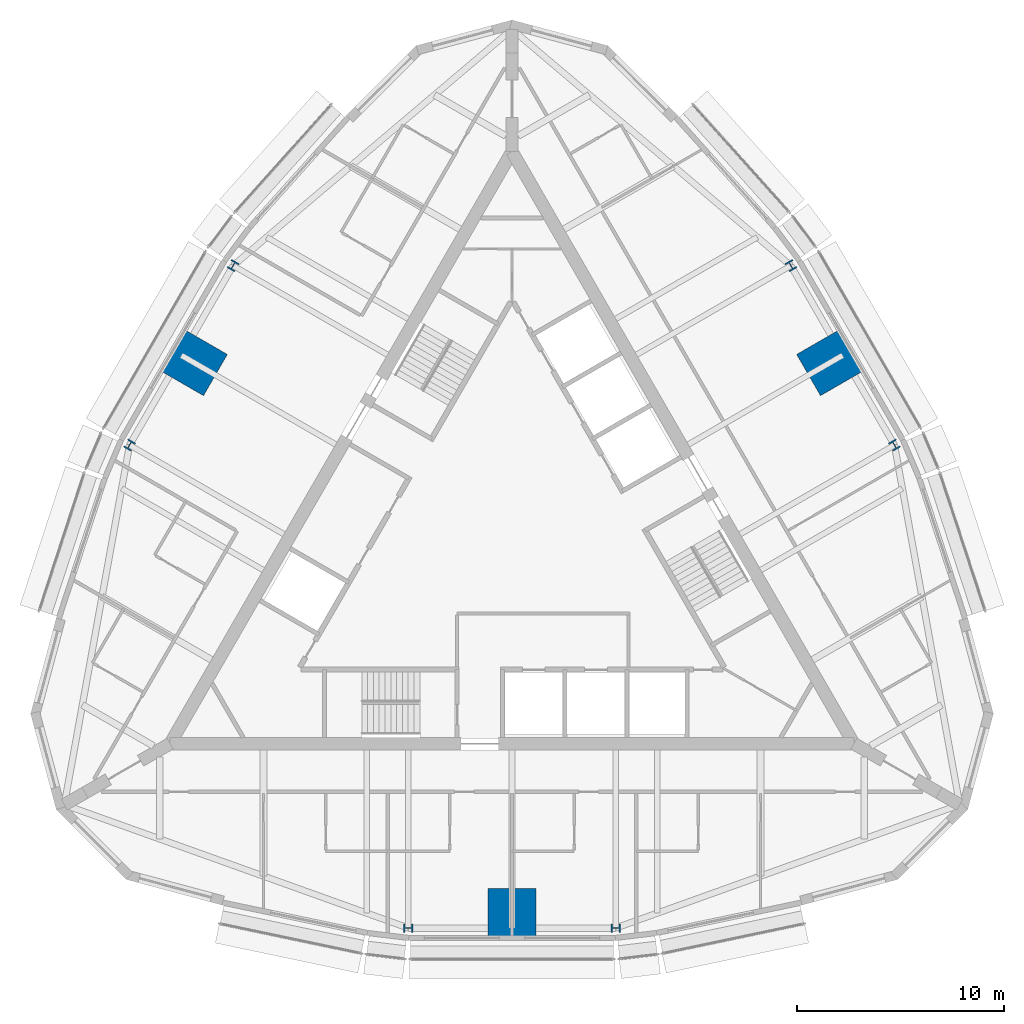
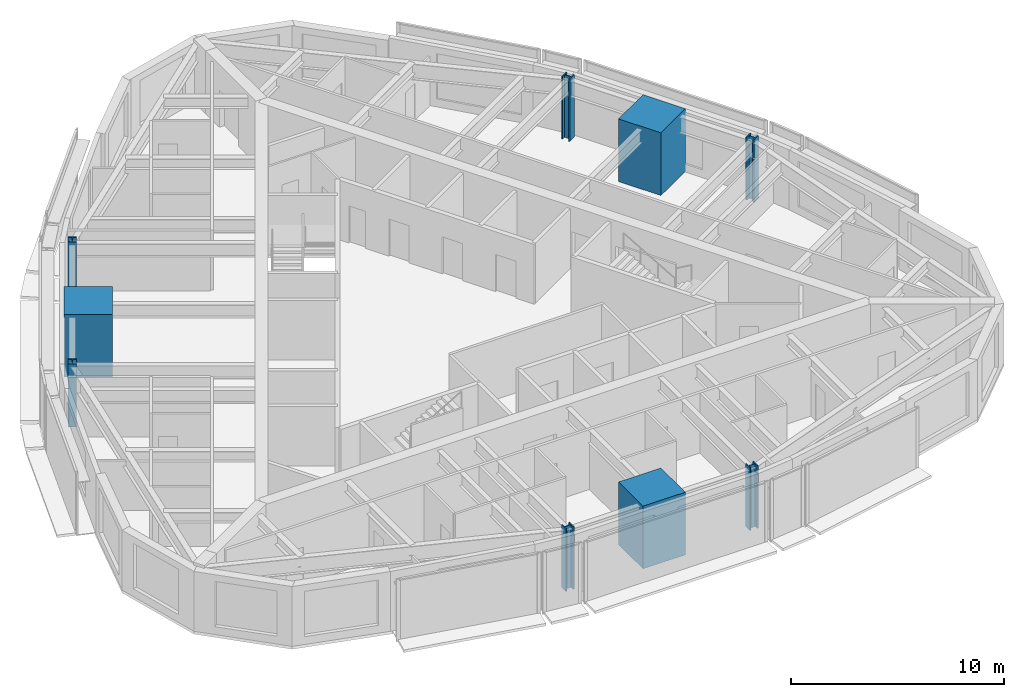
# One storey, part 1 of 12: 9 columns.
"""IFC4 building model written with IfcOpenShell, lengths in metres."""

from ifc_helpers import new_model, si_unit, direction, frame, origin, origin_2d, place, context, subcontext, project, spatial, rectangle, i_section, extrude, material, material_profile, profile_set, type_object, element, save


model = new_model("IFC4")

# Units and contexts
model_context = context("Model", 3, precision=1e-05, world=origin(), true_north=direction((0.0, 1.0)))
body_context = subcontext(model_context, "Body", "Model", "MODEL_VIEW")
ifc_project = project(units=[si_unit("LENGTHUNIT", "METRE"), si_unit("AREAUNIT", "SQUARE_METRE"), si_unit("VOLUMEUNIT", "CUBIC_METRE"), si_unit("PLANEANGLEUNIT", "RADIAN"), si_unit("MASSUNIT", "GRAM", prefix="KILO")], contexts=[model_context])

# Site, building, storey
site_placement = place(None, origin())
site = spatial("IfcSite", under=ifc_project, at=site_placement, CompositionType="ELEMENT")
building_placement = place(site_placement, origin())
building = spatial("IfcBuilding", under=site, at=building_placement, Name="Trikona Tower", CompositionType="ELEMENT")
storey_placement = place(building_placement, frame((0.0, 0.0, 264.5)))
storey = spatial("IfcBuildingStorey", under=building, at=storey_placement, Name="L70", CompositionType="ELEMENT", Elevation=264.5)

# Columns
ifc_material_1 = material(Name="Concrete f'c 10000 psi with encased steel section", Category="concrete")
ifc_material_profile_1 = material_profile(ifc_material_1, rectangle(XDim=2.300048828125, YDim=2.300048828125, at=origin_2d()), Name="MC2300")
ifc_profile_set_1 = profile_set([ifc_material_profile_1], Name="Concrete f'c 10000 psi with encased steel section")
column_type_1 = type_object("IfcColumnType", Name="Composite mega column 2300x2300", PredefinedType="COLUMN", material=ifc_profile_set_1)
for number, where, z_axis, x_axis, name in (
    (1, (0.0, -17.680419921875, 0.0), (0.0, 0.0, 1.0), (0.0, -1.0, 0.0), "Mega column MC1"),
    (2, (15.311767578125, 8.84033203125, 0.0), (0.0, 0.0, 1.0), (0.866025403784, 0.5, 0.0), "Mega column MC2"),
    (3, (-15.311767578125, 8.84033203125, 0.0), (0.0, 0.0, 1.0), (-0.866025403784, 0.5, 0.0), "Mega column MC3"),
):
    element("IfcColumn", number, at=place(storey_placement, frame(where, z_axis=z_axis, x_axis=x_axis)), inside=storey, type_object=column_type_1, Name=name, PredefinedType="COLUMN", context=body_context, shape_type="SweptSolid", body=[
        extrude(rectangle(XDim=2.300048828125, YDim=2.300048828125, at=origin_2d()), origin(), (0.0, 0.0, 1.0), 3.60009765625),
    ])
ifc_material_2 = material(Name="Steel ASTM A992 Grade 50", Category="steel")
ifc_material_profile_2 = material_profile(ifc_material_2, i_section(OverallWidth=0.419189453125, OverallDepth=0.45458984375, WebThickness=0.042236328125, FlangeThickness=0.067626953125, at=origin_2d()), Name="W14X370")
ifc_profile_set_2 = profile_set([ifc_material_profile_2], Name="Steel ASTM A992 Grade 50")
column_type_2 = type_object("IfcColumnType", Name="Steel column W14x370", PredefinedType="COLUMN", material=ifc_profile_set_2)
for number, where, z_axis, x_axis, name in (
    (4, (-5.0, -18.430419921875, 0.0), (0.0, 0.0, 1.0), (0.0, -1.0, 0.0), "Column F0m5"),
    (5, (5.0, -18.430419921875, 0.0), (0.0, 0.0, 1.0), (0.0, -1.0, 0.0), "Column F0p5"),
    (6, (18.461181640625, 4.885009765625, 0.0), (0.0, 0.0, 1.0), (0.866025403784, 0.5, 0.0), "Column F1m5"),
    (7, (13.461181640625, 13.54541015625, 0.0), (0.0, 0.0, 1.0), (0.866025403784, 0.5, 0.0), "Column F1p5"),
    (8, (-13.461181640625, 13.54541015625, 0.0), (0.0, 0.0, 1.0), (-0.866025403784, 0.5, 0.0), "Column F2m5"),
    (9, (-18.461181640625, 4.885009765625, 0.0), (0.0, 0.0, 1.0), (-0.866025403784, 0.5, 0.0), "Column F2p5"),
):
    element("IfcColumn", number, at=place(storey_placement, frame(where, z_axis=z_axis, x_axis=x_axis)), inside=storey, type_object=column_type_2, Name=name, PredefinedType="COLUMN", context=body_context, shape_type="SweptSolid", body=[
        extrude(i_section(OverallWidth=0.419189453125, OverallDepth=0.45458984375, WebThickness=0.042236328125, FlangeThickness=0.067626953125, at=origin_2d()), origin(), (0.0, 0.0, 1.0), 3.60009765625),
    ])

save(model, "model.ifc")
